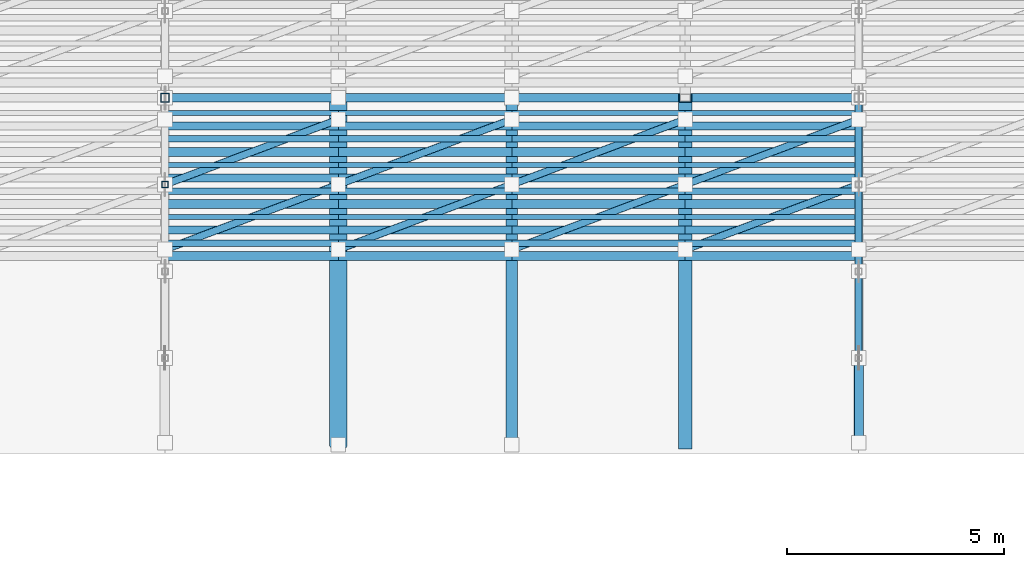
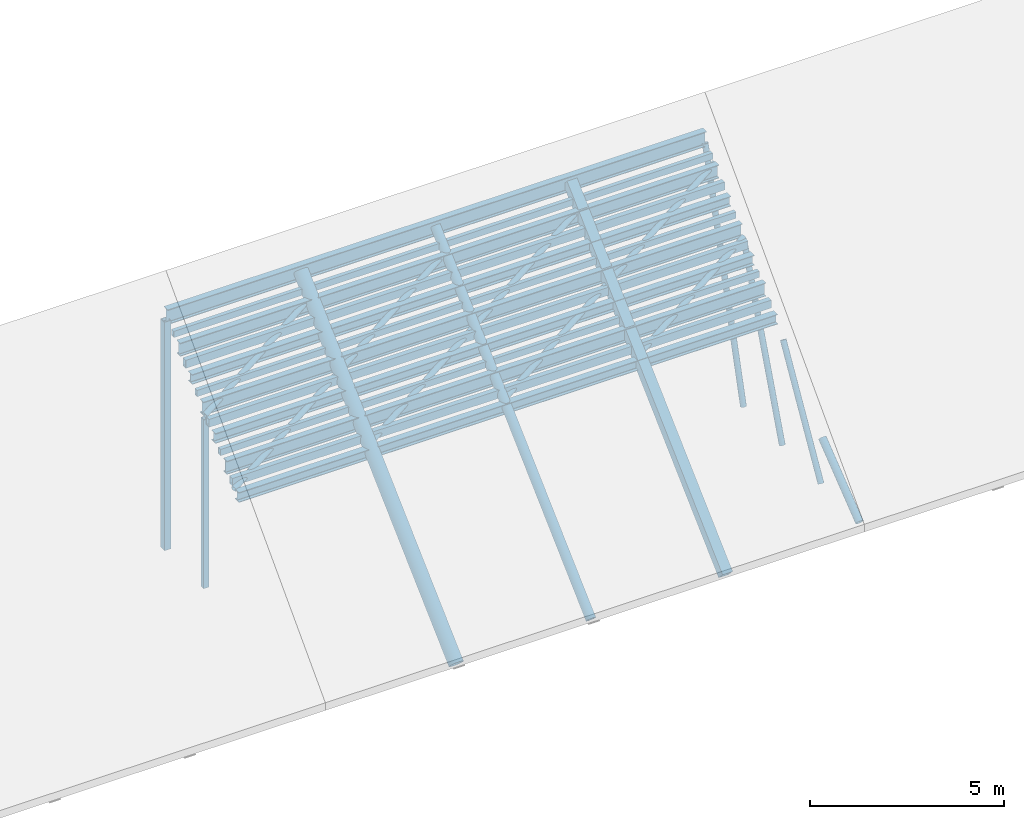
# One storey, part 2 of 18: 66 members.
"""IFC4 building model written with IfcOpenShell, lengths in metres."""

from ifc_helpers import new_model, si_unit, direction, frame, origin, origin_2d, place, context, subcontext, project, spatial, hollow_rectangle, hollow_circle, i_section, extrude, material, material_profile, profile_set, type_object, element, save


model = new_model("IFC4")

# Units and contexts
model_context = context("Model", 3, precision=1e-05, world=origin(), true_north=direction((0.0, 1.0)))
body_context = subcontext(model_context, "Body", "Model", "MODEL_VIEW")
ifc_project = project(units=[si_unit("LENGTHUNIT", "METRE"), si_unit("AREAUNIT", "SQUARE_METRE"), si_unit("VOLUMEUNIT", "CUBIC_METRE"), si_unit("PLANEANGLEUNIT", "RADIAN"), si_unit("MASSUNIT", "GRAM", prefix="KILO")], contexts=[model_context])

# Site, building, storey
site_placement = place(None, origin())
site = spatial("IfcSite", under=ifc_project, at=site_placement, CompositionType="ELEMENT")
building_placement = place(site_placement, origin())
building = spatial("IfcBuilding", under=site, at=building_placement, Name="Serraluz Foothill Cableway Terminal", CompositionType="ELEMENT")
storey_placement = place(building_placement, frame((0.0, 0.0, 24.300048828125)))
storey = spatial("IfcBuildingStorey", under=building, at=storey_placement, Name="RF", CompositionType="ELEMENT", Elevation=24.300048828125)

# Members
ifc_material_1 = material(Name="Steel ASTM A572 Grade 50", Category="steel")
ifc_material_profile_1 = material_profile(ifc_material_1, hollow_circle(Radius=0.084228515625, WallThickness=0.010009765625, at=origin_2d()), Name="CHS168X10")
ifc_profile_set_1 = profile_set([ifc_material_profile_1], Name="Steel ASTM A572 Grade 50")
member_type_1 = type_object("IfcMemberType", Name="TYP-BR-CHS168", PredefinedType="BRACE", material=ifc_profile_set_1)
member_1_placement = place(storey_placement, frame((72.0, 58.0302734375, -4.568115234375), z_axis=(0.0, 0.502584169831, 0.864528283074), x_axis=(-1.0, 0.0, 0.0)))
element("IfcMember", 1, at=member_1_placement, inside=storey, type_object=member_type_1, Name="ROOF TRUSS TR-03 Diagonal 2", PredefinedType="BRACE", context=body_context, shape_type="SweptSolid", body=[
    extrude(hollow_circle(Radius=0.084228515625, WallThickness=0.010009765625, at=origin_2d()), origin(), (0.0, 0.0, 1.0), 3.85888671875),
])
member_2_placement = place(storey_placement, frame((72.0, 60.02099609375, -4.56396484375), z_axis=(0.0, 0.352230195063, 0.935913398604), x_axis=(-1.0, 0.0, 0.0)))
element("IfcMember", 2, at=member_2_placement, inside=storey, type_object=member_type_1, Name="ROOF TRUSS TR-03 Diagonal 3", PredefinedType="BRACE", context=body_context, shape_type="SweptSolid", body=[
    extrude(hollow_circle(Radius=0.084228515625, WallThickness=0.010009765625, at=origin_2d()), origin(), (0.0, 0.0, 1.0), 5.558837890625),
])
member_3_placement = place(storey_placement, frame((72.0, 62.01611328125, -4.562255859375), z_axis=(0.0, 0.26797823219, 0.963424967017), x_axis=(-1.0, 0.0, 0.0)))
element("IfcMember", 3, at=member_3_placement, inside=storey, type_object=member_type_1, Name="ROOF TRUSS TR-03 Diagonal 4", PredefinedType="BRACE", context=body_context, shape_type="SweptSolid", body=[
    extrude(hollow_circle(Radius=0.084228515625, WallThickness=0.010009765625, at=origin_2d()), origin(), (0.0, 0.0, 1.0), 7.343017578125),
])
for number, where, z_axis, x_axis, name in (
    (4, (56.0, 60.5, -0.641357421875), (0.889382269185, 0.333518350944, 0.31267345401), (-0.351123441588, 0.936329177569, 0.0), "Roof Lateral Wind Brace 0137"),
    (5, (56.0, 62.0, 0.764892578125), (0.889382269185, 0.333518350944, 0.31267345401), (-0.351123441588, 0.936329177569, 0.0), "Roof Lateral Wind Brace 0138"),
    (6, (60.0, 60.5, -0.641357421875), (0.889382269185, 0.333518350944, 0.31267345401), (-0.351123441588, 0.936329177569, 0.0), "Roof Lateral Wind Brace 0165"),
    (7, (60.0, 62.0, 0.764892578125), (0.889382269185, 0.333518350944, 0.31267345401), (-0.351123441588, 0.936329177569, 0.0), "Roof Lateral Wind Brace 0166"),
    (8, (64.0, 60.5, -0.641357421875), (0.889382269185, 0.333518350944, 0.31267345401), (-0.351123441588, 0.936329177569, 0.0), "Roof Lateral Wind Brace 0193"),
    (9, (64.0, 62.0, 0.764892578125), (0.889382269185, 0.333518350944, 0.31267345401), (-0.351123441588, 0.936329177569, 0.0), "Roof Lateral Wind Brace 0194"),
    (10, (68.0, 60.5, -0.641357421875), (0.889382269185, 0.333518350944, 0.31267345401), (-0.351123441588, 0.936329177569, 0.0), "Roof Lateral Wind Brace 0221"),
    (11, (68.0, 62.0, 0.764892578125), (0.889382269185, 0.333518350944, 0.31267345401), (-0.351123441588, 0.936329177569, 0.0), "Roof Lateral Wind Brace 0222"),
):
    element("IfcMember", number, at=place(storey_placement, frame(where, z_axis=z_axis, x_axis=x_axis)), inside=storey, type_object=member_type_1, Name=name, PredefinedType="BRACE", context=body_context, shape_type="SweptSolid", body=[
        extrude(hollow_circle(Radius=0.084228515625, WallThickness=0.010009765625, at=origin_2d()), origin(), (0.0, 0.0, 1.0), 4.49755859375),
    ])
ifc_material_profile_2 = material_profile(ifc_material_1, hollow_circle(Radius=0.109619140625, WallThickness=0.011962890625, at=origin_2d()), Name="CHS219X12")
ifc_profile_set_2 = profile_set([ifc_material_profile_2], Name="Steel ASTM A572 Grade 50")
member_type_2 = type_object("IfcMemberType", Name="TYP-BR-CHS219", PredefinedType="BRACE", material=ifc_profile_set_2)
member_4_placement = place(storey_placement, frame((72.0, 56.04736328125, -4.5830078125), z_axis=(0.0, 0.787528424659, 0.616278330265), x_axis=(-1.0, 0.0, 0.0)))
element("IfcMember", 12, at=member_4_placement, inside=storey, type_object=member_type_2, Name="ROOF TRUSS TR-03 Diagonal 1", PredefinedType="BRACE", context=body_context, shape_type="SweptSolid", body=[
    extrude(hollow_circle(Radius=0.109619140625, WallThickness=0.011962890625, at=origin_2d()), origin(), (0.0, 0.0, 1.0), 2.419189453125),
])
ifc_material_profile_3 = material_profile(ifc_material_1, hollow_circle(Radius=0.136474609375, WallThickness=0.011962890625, at=origin_2d()), Name="CHS273X12")
ifc_profile_set_3 = profile_set([ifc_material_profile_3], Name="Steel ASTM A572 Grade 50")
member_type_3 = type_object("IfcMemberType", Name="TYP-BR-CHS273", PredefinedType="BRACE", material=ifc_profile_set_3)
member_5_placement = place(storey_placement, frame((64.0, 56.0, -4.800048828125), z_axis=(0.0, 0.72953720414, 0.683941128881), x_axis=(-1.0, 0.0, 0.0)))
element("IfcMember", 13, at=member_5_placement, inside=storey, type_object=member_type_3, Name="Secondary Roof Rafter 0009", PredefinedType="BRACE", context=body_context, shape_type="SweptSolid", body=[
    extrude(hollow_circle(Radius=0.136474609375, WallThickness=0.011962890625, at=origin_2d()), origin(), (0.0, 0.0, 1.0), 10.9658203125),
])
ifc_material_profile_4 = material_profile(ifc_material_1, hollow_rectangle(XDim=0.14990234375, YDim=0.14990234375, WallThickness=0.010009765625, at=origin_2d()), Name="HSS150X150X10")
ifc_profile_set_4 = profile_set([ifc_material_profile_4], Name="Steel ASTM A572 Grade 50")
member_type_4 = type_object("IfcMemberType", Name="TYP-BR-HSS150", PredefinedType="BRACE", material=ifc_profile_set_4)
member_6_placement = place(storey_placement, frame((56.0, 62.0, -4.610107421875), z_axis=(0.0, 0.0, 1.0), x_axis=(1.0, 0.0, 0.0)))
element("IfcMember", 14, at=member_6_placement, inside=storey, type_object=member_type_4, Name="ROOF TRUSS TR-02 Web Post 3", PredefinedType="BRACE", context=body_context, shape_type="SweptSolid", body=[
    extrude(hollow_rectangle(XDim=0.14990234375, YDim=0.14990234375, WallThickness=0.010009765625, at=origin_2d()), origin(), (0.0, 0.0, 1.0), 5.295166015625),
])
ifc_material_profile_5 = material_profile(ifc_material_1, hollow_rectangle(XDim=0.199951171875, YDim=0.199951171875, WallThickness=0.011962890625, at=origin_2d()), Name="HSS200X200X12")
ifc_profile_set_5 = profile_set([ifc_material_profile_5], Name="Steel ASTM A572 Grade 50")
member_type_5 = type_object("IfcMemberType", Name="TYP-BR-HSS200", PredefinedType="BRACE", material=ifc_profile_set_5)
member_7_placement = place(storey_placement, frame((56.0, 64.0, -4.610107421875), z_axis=(0.0, 0.0, 1.0), x_axis=(1.0, 0.0, 0.0)))
element("IfcMember", 15, at=member_7_placement, inside=storey, type_object=member_type_5, Name="ROOF TRUSS TR-02 Web Post 4", PredefinedType="BRACE", context=body_context, shape_type="SweptSolid", body=[
    extrude(hollow_rectangle(XDim=0.199951171875, YDim=0.199951171875, WallThickness=0.011962890625, at=origin_2d()), origin(), (0.0, 0.0, 1.0), 7.170166015625),
])
ifc_material_profile_6 = material_profile(ifc_material_1, hollow_rectangle(XDim=0.300048828125, YDim=0.300048828125, WallThickness=0.01611328125, at=origin_2d()), Name="HSS300X300X16")
ifc_profile_set_6 = profile_set([ifc_material_profile_6], Name="Steel ASTM A572 Grade 50")
member_type_6 = type_object("IfcMemberType", Name="TYP-CH-HSS300", PredefinedType="CHORD", material=ifc_profile_set_6)
member_8_placement = place(storey_placement, frame((68.0, 56.0, -4.800048828125), z_axis=(0.0, 0.72953720414, 0.683941128881), x_axis=(-1.0, 0.0, 0.0)))
element("IfcMember", 16, at=member_8_placement, inside=storey, type_object=member_type_6, Name="Secondary Roof Rafter 0011", PredefinedType="CHORD", context=body_context, shape_type="SweptSolid", body=[
    extrude(hollow_rectangle(XDim=0.300048828125, YDim=0.300048828125, WallThickness=0.01611328125, at=origin_2d()), origin(), (0.0, 0.0, 1.0), 10.9658203125),
])
ifc_material_profile_7 = material_profile(ifc_material_1, hollow_rectangle(XDim=0.1201171875, YDim=0.199951171875, WallThickness=0.008056640625, at=origin_2d()), Name="HSS200X120X8")
ifc_profile_set_7 = profile_set([ifc_material_profile_7], Name="Steel ASTM A572 Grade 50")
member_type_7 = type_object("IfcMemberType", Name="TYP-PR-HSS200X120", PredefinedType="PURLIN", material=ifc_profile_set_7)
for number, where, z_axis, x_axis, name in (
    (17, (56.0, 61.25, 0.081787109375), (1.0, 0.0, 0.0), (0.0, 1.0, 0.0), "Secondary Roof Purlin 0116"),
    (18, (56.0, 62.449951171875, 1.206787109375), (1.0, 0.0, 0.0), (0.0, 1.0, 0.0), "Secondary Roof Purlin 0120"),
    (19, (56.0, 63.64990234375, 2.331787109375), (1.0, 0.0, 0.0), (0.0, 1.0, 0.0), "Secondary Roof Purlin 0124"),
    (20, (60.0, 61.25, 0.081787109375), (1.0, 0.0, 0.0), (0.0, 1.0, 0.0), "Secondary Roof Purlin 0144"),
    (21, (60.0, 62.449951171875, 1.206787109375), (1.0, 0.0, 0.0), (0.0, 1.0, 0.0), "Secondary Roof Purlin 0148"),
    (22, (60.0, 63.64990234375, 2.331787109375), (1.0, 0.0, 0.0), (0.0, 1.0, 0.0), "Secondary Roof Purlin 0152"),
    (23, (64.0, 61.25, 0.081787109375), (1.0, 0.0, 0.0), (0.0, 1.0, 0.0), "Secondary Roof Purlin 0172"),
    (24, (64.0, 62.449951171875, 1.206787109375), (1.0, 0.0, 0.0), (0.0, 1.0, 0.0), "Secondary Roof Purlin 0176"),
    (25, (64.0, 63.64990234375, 2.331787109375), (1.0, 0.0, 0.0), (0.0, 1.0, 0.0), "Secondary Roof Purlin 0180"),
    (26, (68.0, 61.25, 0.081787109375), (1.0, 0.0, 0.0), (0.0, 1.0, 0.0), "Secondary Roof Purlin 0200"),
    (27, (68.0, 62.449951171875, 1.206787109375), (1.0, 0.0, 0.0), (0.0, 1.0, 0.0), "Secondary Roof Purlin 0204"),
    (28, (68.0, 63.64990234375, 2.331787109375), (1.0, 0.0, 0.0), (0.0, 1.0, 0.0), "Secondary Roof Purlin 0208"),
):
    element("IfcMember", number, at=place(storey_placement, frame(where, z_axis=z_axis, x_axis=x_axis)), inside=storey, type_object=member_type_7, Name=name, PredefinedType="PURLIN", context=body_context, shape_type="SweptSolid", body=[
        extrude(hollow_rectangle(XDim=0.1201171875, YDim=0.199951171875, WallThickness=0.008056640625, at=origin_2d()), origin(), (0.0, 0.0, 1.0), 4.0),
    ])
ifc_material_profile_8 = material_profile(ifc_material_1, hollow_rectangle(XDim=0.14990234375, YDim=0.25, WallThickness=0.010009765625, at=origin_2d()), Name="HSS250X150X10")
ifc_profile_set_8 = profile_set([ifc_material_profile_8], Name="Steel ASTM A572 Grade 50")
member_type_8 = type_object("IfcMemberType", Name="TYP-PR-HSS250X150", PredefinedType="PURLIN", material=ifc_profile_set_8)
for number, where, z_axis, x_axis, name in (
    (29, (56.0, 60.64990234375, -0.480712890625), (1.0, 0.0, 0.0), (0.0, 1.0, 0.0), "Secondary Roof Purlin 0114"),
    (30, (56.0, 61.85009765625, 0.644287109375), (1.0, 0.0, 0.0), (0.0, 1.0, 0.0), "Secondary Roof Purlin 0118"),
    (31, (56.0, 63.050048828125, 1.769287109375), (1.0, 0.0, 0.0), (0.0, 1.0, 0.0), "Secondary Roof Purlin 0122"),
    (32, (60.0, 60.64990234375, -0.480712890625), (1.0, 0.0, 0.0), (0.0, 1.0, 0.0), "Secondary Roof Purlin 0142"),
    (33, (60.0, 61.85009765625, 0.644287109375), (1.0, 0.0, 0.0), (0.0, 1.0, 0.0), "Secondary Roof Purlin 0146"),
    (34, (60.0, 63.050048828125, 1.769287109375), (1.0, 0.0, 0.0), (0.0, 1.0, 0.0), "Secondary Roof Purlin 0150"),
    (35, (64.0, 60.64990234375, -0.480712890625), (1.0, 0.0, 0.0), (0.0, 1.0, 0.0), "Secondary Roof Purlin 0170"),
    (36, (64.0, 61.85009765625, 0.644287109375), (1.0, 0.0, 0.0), (0.0, 1.0, 0.0), "Secondary Roof Purlin 0174"),
    (37, (64.0, 63.050048828125, 1.769287109375), (1.0, 0.0, 0.0), (0.0, 1.0, 0.0), "Secondary Roof Purlin 0178"),
    (38, (68.0, 60.64990234375, -0.480712890625), (1.0, 0.0, 0.0), (0.0, 1.0, 0.0), "Secondary Roof Purlin 0198"),
    (39, (68.0, 61.85009765625, 0.644287109375), (1.0, 0.0, 0.0), (0.0, 1.0, 0.0), "Secondary Roof Purlin 0202"),
    (40, (68.0, 63.050048828125, 1.769287109375), (1.0, 0.0, 0.0), (0.0, 1.0, 0.0), "Secondary Roof Purlin 0206"),
):
    element("IfcMember", number, at=place(storey_placement, frame(where, z_axis=z_axis, x_axis=x_axis)), inside=storey, type_object=member_type_8, Name=name, PredefinedType="PURLIN", context=body_context, shape_type="SweptSolid", body=[
        extrude(hollow_rectangle(XDim=0.14990234375, YDim=0.25, WallThickness=0.010009765625, at=origin_2d()), origin(), (0.0, 0.0, 1.0), 4.0),
    ])
ifc_material_2 = material(Name="Steel ASTM A992 Grade 50", Category="steel")
ifc_material_profile_9 = material_profile(ifc_material_2, i_section(OverallWidth=0.205078125, OverallDepth=0.31005859375, WebThickness=0.009521484375, FlangeThickness=0.016357421875, FilletRadius=0.012939453125, at=origin_2d()), Name="W12X50")
ifc_profile_set_9 = profile_set([ifc_material_profile_9], Name="Steel ASTM A992 Grade 50")
member_type_9 = type_object("IfcMemberType", Name="TYP-PR-W12X50", PredefinedType="PURLIN", material=ifc_profile_set_9)
for number, where, z_axis, x_axis, name in (
    (41, (56.0, 60.35009765625, -0.761962890625), (1.0, 0.0, 0.0), (0.0, 1.0, 0.0), "Secondary Roof Purlin 0113"),
    (42, (56.0, 61.550048828125, 0.363037109375), (1.0, 0.0, 0.0), (0.0, 1.0, 0.0), "Secondary Roof Purlin 0117"),
    (43, (56.0, 62.75, 1.488037109375), (1.0, 0.0, 0.0), (0.0, 1.0, 0.0), "Secondary Roof Purlin 0121"),
    (44, (60.0, 60.35009765625, -0.761962890625), (1.0, 0.0, 0.0), (0.0, 1.0, 0.0), "Secondary Roof Purlin 0141"),
    (45, (60.0, 61.550048828125, 0.363037109375), (1.0, 0.0, 0.0), (0.0, 1.0, 0.0), "Secondary Roof Purlin 0145"),
    (46, (60.0, 62.75, 1.488037109375), (1.0, 0.0, 0.0), (0.0, 1.0, 0.0), "Secondary Roof Purlin 0149"),
    (47, (64.0, 60.35009765625, -0.761962890625), (1.0, 0.0, 0.0), (0.0, 1.0, 0.0), "Secondary Roof Purlin 0169"),
    (48, (64.0, 61.550048828125, 0.363037109375), (1.0, 0.0, 0.0), (0.0, 1.0, 0.0), "Secondary Roof Purlin 0173"),
    (49, (64.0, 62.75, 1.488037109375), (1.0, 0.0, 0.0), (0.0, 1.0, 0.0), "Secondary Roof Purlin 0177"),
    (50, (68.0, 60.35009765625, -0.761962890625), (1.0, 0.0, 0.0), (0.0, 1.0, 0.0), "Secondary Roof Purlin 0197"),
    (51, (68.0, 61.550048828125, 0.363037109375), (1.0, 0.0, 0.0), (0.0, 1.0, 0.0), "Secondary Roof Purlin 0201"),
    (52, (68.0, 62.75, 1.488037109375), (1.0, 0.0, 0.0), (0.0, 1.0, 0.0), "Secondary Roof Purlin 0205"),
):
    element("IfcMember", number, at=place(storey_placement, frame(where, z_axis=z_axis, x_axis=x_axis)), inside=storey, type_object=member_type_9, Name=name, PredefinedType="PURLIN", context=body_context, shape_type="SweptSolid", body=[
        extrude(i_section(OverallWidth=0.205078125, OverallDepth=0.31005859375, WebThickness=0.009521484375, FlangeThickness=0.016357421875, FilletRadius=0.012939453125, at=origin_2d()), origin(), (0.0, 0.0, 1.0), 4.0),
    ])
ifc_material_profile_10 = material_profile(ifc_material_2, i_section(OverallWidth=0.180908203125, OverallDepth=0.4169921875, WebThickness=0.010986328125, FlangeThickness=0.018310546875, FilletRadius=0.013916015625, at=origin_2d()), Name="W16X57")
ifc_profile_set_10 = profile_set([ifc_material_profile_10], Name="Steel ASTM A992 Grade 50")
member_type_10 = type_object("IfcMemberType", Name="TYP-PR-W16X57", PredefinedType="PURLIN", material=ifc_profile_set_10)
for number, where, z_axis, x_axis, name in (
    (53, (56.0, 60.949951171875, -0.199462890625), (1.0, 0.0, 0.0), (0.0, 1.0, 0.0), "Secondary Roof Purlin 0115"),
    (54, (56.0, 62.14990234375, 0.925537109375), (1.0, 0.0, 0.0), (0.0, 1.0, 0.0), "Secondary Roof Purlin 0119"),
    (55, (56.0, 63.35009765625, 2.050537109375), (1.0, 0.0, 0.0), (0.0, 1.0, 0.0), "Secondary Roof Purlin 0123"),
    (56, (60.0, 60.949951171875, -0.199462890625), (1.0, 0.0, 0.0), (0.0, 1.0, 0.0), "Secondary Roof Purlin 0143"),
    (57, (60.0, 62.14990234375, 0.925537109375), (1.0, 0.0, 0.0), (0.0, 1.0, 0.0), "Secondary Roof Purlin 0147"),
    (58, (60.0, 63.35009765625, 2.050537109375), (1.0, 0.0, 0.0), (0.0, 1.0, 0.0), "Secondary Roof Purlin 0151"),
    (59, (64.0, 60.949951171875, -0.199462890625), (1.0, 0.0, 0.0), (0.0, 1.0, 0.0), "Secondary Roof Purlin 0171"),
    (60, (64.0, 62.14990234375, 0.925537109375), (1.0, 0.0, 0.0), (0.0, 1.0, 0.0), "Secondary Roof Purlin 0175"),
    (61, (64.0, 63.35009765625, 2.050537109375), (1.0, 0.0, 0.0), (0.0, 1.0, 0.0), "Secondary Roof Purlin 0179"),
    (62, (68.0, 60.949951171875, -0.199462890625), (1.0, 0.0, 0.0), (0.0, 1.0, 0.0), "Secondary Roof Purlin 0199"),
    (63, (68.0, 62.14990234375, 0.925537109375), (1.0, 0.0, 0.0), (0.0, 1.0, 0.0), "Secondary Roof Purlin 0203"),
    (64, (68.0, 63.35009765625, 2.050537109375), (1.0, 0.0, 0.0), (0.0, 1.0, 0.0), "Secondary Roof Purlin 0207"),
):
    element("IfcMember", number, at=place(storey_placement, frame(where, z_axis=z_axis, x_axis=x_axis)), inside=storey, type_object=member_type_10, Name=name, PredefinedType="PURLIN", context=body_context, shape_type="SweptSolid", body=[
        extrude(i_section(OverallWidth=0.180908203125, OverallDepth=0.4169921875, WebThickness=0.010986328125, FlangeThickness=0.018310546875, FilletRadius=0.013916015625, at=origin_2d()), origin(), (0.0, 0.0, 1.0), 4.0),
    ])
ifc_material_profile_11 = material_profile(ifc_material_2, i_section(OverallWidth=0.193115234375, OverallDepth=0.467041015625, WebThickness=0.011474609375, FlangeThickness=0.01904296875, FilletRadius=0.014892578125, at=origin_2d()), Name="W18X65")
ifc_profile_set_11 = profile_set([ifc_material_profile_11], Name="Steel ASTM A992 Grade 50")
member_type_11 = type_object("IfcMemberType", Name="TYP-PR-W18X65", PredefinedType="PURLIN", material=ifc_profile_set_11)
member_9_placement = place(storey_placement, frame((56.0, 64.0, 2.679931640625), z_axis=(1.0, 0.0, 0.0), x_axis=(0.0, 1.0, 0.0)))
element("IfcMember", 65, at=member_9_placement, inside=storey, type_object=member_type_11, Name="Primary Roof Ridge/Eave Purlin 2-64", PredefinedType="PURLIN", context=body_context, shape_type="SweptSolid", body=[
    extrude(i_section(OverallWidth=0.193115234375, OverallDepth=0.467041015625, WebThickness=0.011474609375, FlangeThickness=0.01904296875, FilletRadius=0.014892578125, at=origin_2d()), origin(), (0.0, 0.0, 1.0), 16.0),
])
ifc_material_profile_12 = material_profile(ifc_material_1, hollow_circle(Radius=0.203125, WallThickness=0.01611328125, at=origin_2d()), Name="CHS406X16")
ifc_profile_set_12 = profile_set([ifc_material_profile_12], Name="Steel ASTM A572 Grade 50")
member_type_12 = type_object("IfcMemberType", Name="TYP-ST-CHS406", PredefinedType="STRUT", material=ifc_profile_set_12)
member_10_placement = place(storey_placement, frame((60.0, 56.0, -4.800048828125), z_axis=(0.0, 0.72953720414, 0.683941128881), x_axis=(-1.0, 0.0, 0.0)))
element("IfcMember", 66, at=member_10_placement, inside=storey, type_object=member_type_12, Name="Secondary Roof Rafter 0007", PredefinedType="STRUT", context=body_context, shape_type="SweptSolid", body=[
    extrude(hollow_circle(Radius=0.203125, WallThickness=0.01611328125, at=origin_2d()), origin(), (0.0, 0.0, 1.0), 10.9658203125),
])

save(model, "model.ifc")
